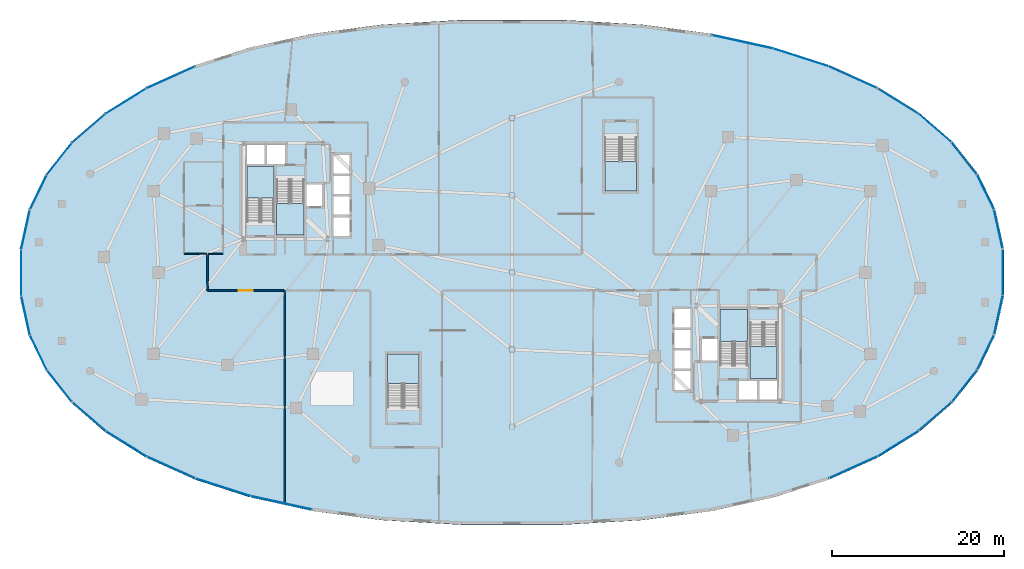
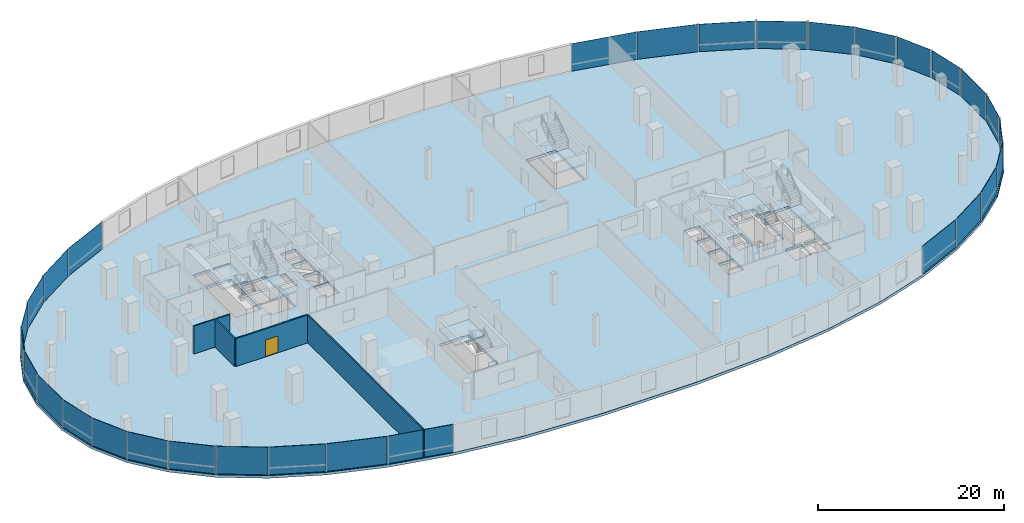
# One storey, part 11 of 18: 30 plates, 7 slabs, 5 walls, 1 door, 1 opening, 13 elements without a shape of their own.
"""IFC4 building model written with IfcOpenShell, lengths in metres."""

from ifc_helpers import new_model, si_unit, direction, frame, frame_2d, origin, origin_2d, place, context, subcontext, project, spatial, polyline, rectangle, outline, extrude, material, layer, layer_set, type_object, element, fill, aggregate, save


model = new_model("IFC4")

# Units and contexts
model_context = context("Model", 3, precision=1e-05, world=origin(), true_north=direction((0.0, 1.0)))
body_context = subcontext(model_context, "Body", "Model", "MODEL_VIEW")
ifc_project = project(units=[si_unit("LENGTHUNIT", "METRE"), si_unit("AREAUNIT", "SQUARE_METRE"), si_unit("VOLUMEUNIT", "CUBIC_METRE"), si_unit("PLANEANGLEUNIT", "RADIAN"), si_unit("MASSUNIT", "GRAM", prefix="KILO"), si_unit("THERMODYNAMICTEMPERATUREUNIT", "KELVIN"), si_unit("POWERUNIT", "WATT")], contexts=[model_context])

# Site, building, storey
site_placement = place(None, origin())
site = spatial("IfcSite", under=ifc_project, at=site_placement, CompositionType="ELEMENT")
building_placement = place(site_placement, origin())
building = spatial("IfcBuilding", under=site, at=building_placement, Name="Cundina Bronze Exchange", CompositionType="ELEMENT")
storey_placement = place(building_placement, frame((0.0, 0.0, 12.0)))
storey = spatial("IfcBuildingStorey", under=building, at=storey_placement, Name="L02", CompositionType="ELEMENT", Elevation=12.0)

# Curtain wall, plates
ifc_material_1 = material(Name="Anodised Bronze Aluminium 6063-T6", Category="aluminium")
curtain_wall_type = type_object("IfcCurtainWallType", Name="CWS-POD-CONC", PredefinedType="NOTDEFINED", material=ifc_material_1)
curtain_wall_1_placement = place(storey_placement, origin())
curtain_wall_1 = element("IfcCurtainWall", 1, at=curtain_wall_1_placement, inside=storey, type_object=curtain_wall_type, Name="L02 CW-01 Curtain Wall Run CWR-L02-01", PredefinedType="NOTDEFINED")
ifc_material_2 = material(Name="Heat-Strengthened Solar-Control Bronze Safety Glass 28mm", Category="glass")
ifc_layer_1 = layer(ifc_material_2, 0.033935546875, Name="Heat-Strengthened Solar-Control Bronze Safety Glass 28mm", Category="glass")
ifc_layer_set_1 = layer_set([ifc_layer_1], Name="Heat-Strengthened Solar-Control Bronze Safety Glass 28mm")
plate_type_1 = type_object("IfcPlateType", Name="PLT-GLZ-POD34", PredefinedType="CURTAIN_PANEL", material=ifc_layer_set_1)
plate_1_placement = place(storey_placement, frame((56.7294921875, 4.99951171875, 0.02001953125), z_axis=(0.0, 0.0, 1.0), x_axis=(-0.214496674701, 0.976724718916, 0.0)))
plate_1 = element("IfcPlate", 2, at=plate_1_placement, type_object=plate_type_1, Name="CW-01 Glazed Panel 1", PredefinedType="CURTAIN_PANEL", context=body_context, shape_type="SweptSolid", body=[
    extrude(rectangle(XDim=4.60009765625, YDim=0.033935546875, at=origin_2d()), origin(), (0.0, 0.0, 1.0), 3.610107421875),
])
plate_2_placement = place(storey_placement, frame((55.237548828125, 9.3232421875, 0.02001953125), z_axis=(0.0, 0.0, 1.0), x_axis=(-0.435765282624, 0.900060341566, 0.0)))
plate_2 = element("IfcPlate", 3, at=plate_2_placement, type_object=plate_type_1, Name="CW-01 Glazed Panel 2", PredefinedType="CURTAIN_PANEL", context=body_context, shape_type="SweptSolid", body=[
    extrude(rectangle(XDim=4.499755859375, YDim=0.033935546875, at=origin_2d()), origin(), (0.0, 0.0, 1.0), 3.610107421875),
])
plate_3_placement = place(storey_placement, frame((52.768798828125, 13.24462890625, 0.02001953125), z_axis=(0.0, 0.0, 1.0), x_axis=(-0.619463952441, 0.785025102545, 0.0)))
plate_3 = element("IfcPlate", 4, at=plate_3_placement, type_object=plate_type_1, Name="CW-01 Glazed Panel 3", PredefinedType="CURTAIN_PANEL", context=body_context, shape_type="SweptSolid", body=[
    extrude(rectangle(XDim=4.7060546875, YDim=0.033935546875, at=origin_2d()), origin(), (0.0, 0.0, 1.0), 3.610107421875),
])
plate_4_placement = place(storey_placement, frame((49.346923828125, 16.802490234375, 0.02001953125), z_axis=(0.0, 0.0, 1.0), x_axis=(-0.755556279398, 0.655083741717, 0.0)))
plate_4 = element("IfcPlate", 5, at=plate_4_placement, type_object=plate_type_1, Name="CW-01 Glazed Panel 4", PredefinedType="CURTAIN_PANEL", context=body_context, shape_type="SweptSolid", body=[
    extrude(rectangle(XDim=5.0849609375, YDim=0.033935546875, at=origin_2d()), origin(), (0.0, 0.0, 1.0), 3.610107421875),
])

curtain_wall_2_placement = place(storey_placement, origin())
curtain_wall_2 = element("IfcCurtainWall", 6, at=curtain_wall_2_placement, inside=storey, type_object=curtain_wall_type, Name="L02 CW-01 Curtain Wall Run CWR-L02-02", PredefinedType="NOTDEFINED")
plate_5_placement = place(storey_placement, frame((39.789794921875, 22.73876953125, 0.02001953125), z_axis=(0.0, 0.0, 1.0), x_axis=(-0.911647313688, 0.41097344859, 0.0)))
plate_5 = element("IfcPlate", 7, at=plate_5_placement, type_object=plate_type_1, Name="CW-01 Glazed Panel 1", PredefinedType="CURTAIN_PANEL", context=body_context, shape_type="SweptSolid", body=[
    extrude(rectangle(XDim=6.11962890625, YDim=0.033935546875, at=origin_2d()), origin(), (0.0, 0.0, 1.0), 3.610107421875),
])
plate_6_placement = place(storey_placement, frame((33.738037109375, 25.051513671875, 0.02001953125), z_axis=(0.0, 0.0, 1.0), x_axis=(-0.951840858876, 0.306592529873, 0.0)))
plate_6 = element("IfcPlate", 8, at=plate_6_placement, type_object=plate_type_1, Name="CW-01 Glazed Panel 2", PredefinedType="CURTAIN_PANEL", context=body_context, shape_type="SweptSolid", body=[
    extrude(rectangle(XDim=6.71044921875, YDim=0.033935546875, at=origin_2d()), origin(), (0.0, 0.0, 1.0), 3.610107421875),
])
plate_7_placement = place(storey_placement, frame((26.882568359375, 26.884765625, 0.02001953125), z_axis=(0.0, 0.0, 1.0), x_axis=(-0.9769078017, 0.213661290314, 0.0)))
plate_7 = element("IfcPlate", 9, at=plate_7_placement, type_object=plate_type_1, Name="CW-01 Glazed Panel 3", PredefinedType="CURTAIN_PANEL", context=body_context, shape_type="SweptSolid", body=[
    extrude(rectangle(XDim=7.3466796875, YDim=0.033935546875, at=origin_2d()), origin(), (0.0, 0.0, 1.0), 3.610107421875),
])
aggregate(curtain_wall_2, [plate_5, plate_6, plate_7])

curtain_wall_3_placement = place(storey_placement, origin())
curtain_wall_3 = element("IfcCurtainWall", 10, at=curtain_wall_3_placement, inside=storey, type_object=curtain_wall_type, Name="L02 CW-01 Curtain Wall Run CWR-L02-03", PredefinedType="NOTDEFINED")
plate_8_placement = place(storey_placement, frame((-39.789794921875, 22.73876953125, 0.02001953125), z_axis=(0.0, 0.0, 1.0), x_axis=(-0.911647313688, -0.41097344859, 0.0)))
plate_8 = element("IfcPlate", 11, at=plate_8_placement, type_object=plate_type_1, Name="CW-01 Glazed Panel 1", PredefinedType="CURTAIN_PANEL", context=body_context, shape_type="SweptSolid", body=[
    extrude(rectangle(XDim=6.11962890625, YDim=0.033935546875, at=origin_2d()), origin(), (0.0, 0.0, 1.0), 3.610107421875),
])
plate_9_placement = place(storey_placement, frame((-45.007080078125, 19.977783203125, 0.02001953125), z_axis=(0.0, 0.0, 1.0), x_axis=(-0.849294333819, -0.527919628867, 0.0)))
plate_9 = element("IfcPlate", 12, at=plate_9_placement, type_object=plate_type_1, Name="CW-01 Glazed Panel 2", PredefinedType="CURTAIN_PANEL", context=body_context, shape_type="SweptSolid", body=[
    extrude(rectangle(XDim=5.570068359375, YDim=0.033935546875, at=origin_2d()), origin(), (0.0, 0.0, 1.0), 3.610107421875),
])
plate_10_placement = place(storey_placement, frame((-52.768798828125, 13.24462890625, 0.02001953125), z_axis=(0.0, 0.0, 1.0), x_axis=(-0.619463952441, -0.785025102545, 0.0)))
plate_10 = element("IfcPlate", 13, at=plate_10_placement, type_object=plate_type_1, Name="CW-01 Glazed Panel 4", PredefinedType="CURTAIN_PANEL", context=body_context, shape_type="SweptSolid", body=[
    extrude(rectangle(XDim=4.7060546875, YDim=0.033935546875, at=origin_2d()), origin(), (0.0, 0.0, 1.0), 3.610107421875),
])
plate_11_placement = place(storey_placement, frame((-55.237548828125, 9.3232421875, 0.02001953125), z_axis=(0.0, 0.0, 1.0), x_axis=(-0.435765282624, -0.900060341566, 0.0)))
plate_11 = element("IfcPlate", 14, at=plate_11_placement, type_object=plate_type_1, Name="CW-01 Glazed Panel 5", PredefinedType="CURTAIN_PANEL", context=body_context, shape_type="SweptSolid", body=[
    extrude(rectangle(XDim=4.499755859375, YDim=0.033935546875, at=origin_2d()), origin(), (0.0, 0.0, 1.0), 3.610107421875),
])

curtain_wall_4_placement = place(storey_placement, origin())
curtain_wall_4 = element("IfcCurtainWall", 15, at=curtain_wall_4_placement, inside=storey, type_object=curtain_wall_type, Name="L02 CW-01 Curtain Wall Run CWR-L02-04", PredefinedType="NOTDEFINED")
plate_12_placement = place(storey_placement, frame((-56.7294921875, 4.99951171875, 0.02001953125), z_axis=(0.0, 0.0, 1.0), x_axis=(-0.214496674701, -0.976724718916, 0.0)))
plate_12 = element("IfcPlate", 16, at=plate_12_placement, type_object=plate_type_1, Name="CW-01 Glazed Panel 1", PredefinedType="CURTAIN_PANEL", context=body_context, shape_type="SweptSolid", body=[
    extrude(rectangle(XDim=4.60009765625, YDim=0.033935546875, at=origin_2d()), origin(), (0.0, 0.0, 1.0), 3.610107421875),
])
plate_13_placement = place(storey_placement, frame((-56.7294921875, -4.99951171875, 0.02001953125), z_axis=(0.0, 0.0, 1.0), x_axis=(0.214496674701, -0.976724718916, 0.0)))
plate_13 = element("IfcPlate", 17, at=plate_13_placement, type_object=plate_type_1, Name="CW-01 Glazed Panel 3", PredefinedType="CURTAIN_PANEL", context=body_context, shape_type="SweptSolid", body=[
    extrude(rectangle(XDim=4.60009765625, YDim=0.033935546875, at=origin_2d()), origin(), (0.0, 0.0, 1.0), 3.610107421875),
])
plate_14_placement = place(storey_placement, frame((-55.237548828125, -9.3232421875, 0.02001953125), z_axis=(0.0, 0.0, 1.0), x_axis=(0.435765282624, -0.900060341566, 0.0)))
plate_14 = element("IfcPlate", 18, at=plate_14_placement, type_object=plate_type_1, Name="CW-01 Glazed Panel 4", PredefinedType="CURTAIN_PANEL", context=body_context, shape_type="SweptSolid", body=[
    extrude(rectangle(XDim=4.499755859375, YDim=0.033935546875, at=origin_2d()), origin(), (0.0, 0.0, 1.0), 3.610107421875),
])
plate_15_placement = place(storey_placement, frame((-52.768798828125, -13.24462890625, 0.02001953125), z_axis=(0.0, 0.0, 1.0), x_axis=(0.619463952441, -0.785025102545, 0.0)))
plate_15 = element("IfcPlate", 19, at=plate_15_placement, type_object=plate_type_1, Name="CW-01 Glazed Panel 5", PredefinedType="CURTAIN_PANEL", context=body_context, shape_type="SweptSolid", body=[
    extrude(rectangle(XDim=4.7060546875, YDim=0.033935546875, at=origin_2d()), origin(), (0.0, 0.0, 1.0), 3.610107421875),
])

curtain_wall_5_placement = place(storey_placement, origin())
curtain_wall_5 = element("IfcCurtainWall", 20, at=curtain_wall_5_placement, inside=storey, type_object=curtain_wall_type, Name="L02 CW-01 Curtain Wall Run CWR-L02-05", PredefinedType="NOTDEFINED")
plate_16_placement = place(storey_placement, frame((-45.007080078125, -19.977783203125, 0.02001953125), z_axis=(0.0, 0.0, 1.0), x_axis=(0.849294333819, -0.527919628867, 0.0)))
plate_16 = element("IfcPlate", 21, at=plate_16_placement, type_object=plate_type_1, Name="CW-01 Glazed Panel 2", PredefinedType="CURTAIN_PANEL", context=body_context, shape_type="SweptSolid", body=[
    extrude(rectangle(XDim=5.570068359375, YDim=0.033935546875, at=origin_2d()), origin(), (0.0, 0.0, 1.0), 3.610107421875),
])
plate_17_placement = place(storey_placement, frame((-39.789794921875, -22.73876953125, 0.02001953125), z_axis=(0.0, 0.0, 1.0), x_axis=(0.911647313688, -0.41097344859, 0.0)))
plate_17 = element("IfcPlate", 22, at=plate_17_placement, type_object=plate_type_1, Name="CW-01 Glazed Panel 3", PredefinedType="CURTAIN_PANEL", context=body_context, shape_type="SweptSolid", body=[
    extrude(rectangle(XDim=6.11962890625, YDim=0.033935546875, at=origin_2d()), origin(), (0.0, 0.0, 1.0), 3.610107421875),
])
plate_18_placement = place(storey_placement, frame((-33.738037109375, -25.051513671875, 0.02001953125), z_axis=(0.0, 0.0, 1.0), x_axis=(0.951840858876, -0.306592529873, 0.0)))
plate_18 = element("IfcPlate", 23, at=plate_18_placement, type_object=plate_type_1, Name="CW-01 Glazed Panel 4", PredefinedType="CURTAIN_PANEL", context=body_context, shape_type="SweptSolid", body=[
    extrude(rectangle(XDim=6.71044921875, YDim=0.033935546875, at=origin_2d()), origin(), (0.0, 0.0, 1.0), 3.610107421875),
])
plate_19_placement = place(storey_placement, frame((-26.882568359375, -26.884765625, 0.02001953125), z_axis=(0.0, 0.0, 1.0), x_axis=(0.9769078017, -0.213661290314, 0.0)))
plate_19 = element("IfcPlate", 24, at=plate_19_placement, type_object=plate_type_1, Name="CW-01 Glazed Panel 5", PredefinedType="CURTAIN_PANEL", context=body_context, shape_type="SweptSolid", body=[
    extrude(rectangle(XDim=7.3466796875, YDim=0.033935546875, at=origin_2d()), origin(), (0.0, 0.0, 1.0), 3.610107421875),
])

curtain_wall_6_placement = place(storey_placement, origin())
curtain_wall_6 = element("IfcCurtainWall", 25, at=curtain_wall_6_placement, inside=storey, type_object=curtain_wall_type, Name="L02 CW-01 Curtain Wall Run CWR-L02-06", PredefinedType="NOTDEFINED")
plate_20_placement = place(storey_placement, frame((39.789794921875, -22.73876953125, 0.02001953125), z_axis=(0.0, 0.0, 1.0), x_axis=(0.911647313688, 0.41097344859, 0.0)))
plate_20 = element("IfcPlate", 26, at=plate_20_placement, type_object=plate_type_1, Name="CW-01 Glazed Panel 1", PredefinedType="CURTAIN_PANEL", context=body_context, shape_type="SweptSolid", body=[
    extrude(rectangle(XDim=6.11962890625, YDim=0.033935546875, at=origin_2d()), origin(), (0.0, 0.0, 1.0), 3.610107421875),
])
plate_21_placement = place(storey_placement, frame((45.007080078125, -19.977783203125, 0.02001953125), z_axis=(0.0, 0.0, 1.0), x_axis=(0.849294333819, 0.527919628867, 0.0)))
plate_21 = element("IfcPlate", 27, at=plate_21_placement, type_object=plate_type_1, Name="CW-01 Glazed Panel 2", PredefinedType="CURTAIN_PANEL", context=body_context, shape_type="SweptSolid", body=[
    extrude(rectangle(XDim=5.570068359375, YDim=0.033935546875, at=origin_2d()), origin(), (0.0, 0.0, 1.0), 3.610107421875),
])
plate_22_placement = place(storey_placement, frame((49.346923828125, -16.802490234375, 0.02001953125), z_axis=(0.0, 0.0, 1.0), x_axis=(0.755556279398, 0.655083741717, 0.0)))
plate_22 = element("IfcPlate", 28, at=plate_22_placement, type_object=plate_type_1, Name="CW-01 Glazed Panel 3", PredefinedType="CURTAIN_PANEL", context=body_context, shape_type="SweptSolid", body=[
    extrude(rectangle(XDim=5.0849609375, YDim=0.033935546875, at=origin_2d()), origin(), (0.0, 0.0, 1.0), 3.610107421875),
])
plate_23_placement = place(storey_placement, frame((52.768798828125, -13.24462890625, 0.02001953125), z_axis=(0.0, 0.0, 1.0), x_axis=(0.619463952441, 0.785025102545, 0.0)))
plate_23 = element("IfcPlate", 29, at=plate_23_placement, type_object=plate_type_1, Name="CW-01 Glazed Panel 4", PredefinedType="CURTAIN_PANEL", context=body_context, shape_type="SweptSolid", body=[
    extrude(rectangle(XDim=4.7060546875, YDim=0.033935546875, at=origin_2d()), origin(), (0.0, 0.0, 1.0), 3.610107421875),
])

curtain_wall_7_placement = place(storey_placement, origin())
curtain_wall_7 = element("IfcCurtainWall", 30, at=curtain_wall_7_placement, inside=storey, type_object=curtain_wall_type, Name="L02 CW-01 Curtain Wall Run CWR-L02-07", PredefinedType="NOTDEFINED")
plate_24_placement = place(storey_placement, frame((56.7294921875, -4.99951171875, 0.02001953125), z_axis=(0.0, 0.0, 1.0), x_axis=(0.214496674701, 0.976724718916, 0.0)))
plate_24 = element("IfcPlate", 31, at=plate_24_placement, type_object=plate_type_1, Name="CW-01 Glazed Panel 1", PredefinedType="CURTAIN_PANEL", context=body_context, shape_type="SweptSolid", body=[
    extrude(rectangle(XDim=4.60009765625, YDim=0.033935546875, at=origin_2d()), origin(), (0.0, 0.0, 1.0), 3.610107421875),
])
plate_25_placement = place(storey_placement, frame((57.22900390625, 0.0, 0.02001953125), z_axis=(0.0, 0.0, 1.0), x_axis=(0.0, 1.0, 0.0)))
plate_25 = element("IfcPlate", 32, at=plate_25_placement, type_object=plate_type_1, Name="CW-01 Glazed Panel 2", PredefinedType="CURTAIN_PANEL", context=body_context, shape_type="SweptSolid", body=[
    extrude(rectangle(XDim=5.389892578125, YDim=0.033935546875, at=origin_2d()), origin(), (0.0, 0.0, 1.0), 3.610107421875),
])
aggregate(curtain_wall_7, [plate_24, plate_25])

# Plate
ifc_material_3 = material(Name="Dark Bronze Spandrel Glass Panel 32mm", Category="glass")
ifc_layer_2 = layer(ifc_material_3, 0.031982421875, Name="Dark Bronze Spandrel Glass Panel 32mm", Category="glass")
ifc_layer_set_2 = layer_set([ifc_layer_2], Name="Dark Bronze Spandrel Glass Panel 32mm")
plate_type_2 = type_object("IfcPlateType", Name="PLT-SPN-BRZ32", PredefinedType="CURTAIN_PANEL", material=ifc_layer_set_2)
plate_26_placement = place(storey_placement, frame((45.007080078125, 19.977783203125, 0.02001953125), z_axis=(0.0, 0.0, 1.0), x_axis=(-0.849294333819, 0.527919628867, 0.0)))
plate_26 = element("IfcPlate", 33, at=plate_26_placement, type_object=plate_type_2, Name="CW-01 Glazed Panel 5", PredefinedType="CURTAIN_PANEL", context=body_context, shape_type="SweptSolid", body=[
    extrude(rectangle(XDim=5.570068359375, YDim=0.031982421875, at=origin_2d()), origin(), (0.0, 0.0, 1.0), 3.610107421875),
])

aggregate(curtain_wall_1, [plate_1, plate_2, plate_3, plate_4, plate_26])

plate_27_placement = place(storey_placement, frame((-49.346923828125, 16.802490234375, 0.02001953125), z_axis=(0.0, 0.0, 1.0), x_axis=(-0.755556279398, -0.655083741717, 0.0)))
plate_27 = element("IfcPlate", 34, at=plate_27_placement, type_object=plate_type_2, Name="CW-01 Glazed Panel 3", PredefinedType="CURTAIN_PANEL", context=body_context, shape_type="SweptSolid", body=[
    extrude(rectangle(XDim=5.0849609375, YDim=0.031982421875, at=origin_2d()), origin(), (0.0, 0.0, 1.0), 3.610107421875),
])

aggregate(curtain_wall_3, [plate_8, plate_9, plate_27, plate_10, plate_11])

plate_28_placement = place(storey_placement, frame((-57.22900390625, 0.0, 0.02001953125), z_axis=(0.0, 0.0, 1.0), x_axis=(0.0, -1.0, 0.0)))
plate_28 = element("IfcPlate", 35, at=plate_28_placement, type_object=plate_type_2, Name="CW-01 Glazed Panel 2", PredefinedType="CURTAIN_PANEL", context=body_context, shape_type="SweptSolid", body=[
    extrude(rectangle(XDim=5.389892578125, YDim=0.031982421875, at=origin_2d()), origin(), (0.0, 0.0, 1.0), 3.610107421875),
])

aggregate(curtain_wall_4, [plate_12, plate_28, plate_13, plate_14, plate_15])

plate_29_placement = place(storey_placement, frame((-49.346923828125, -16.802490234375, 0.02001953125), z_axis=(0.0, 0.0, 1.0), x_axis=(0.755556279398, -0.655083741717, 0.0)))
plate_29 = element("IfcPlate", 36, at=plate_29_placement, type_object=plate_type_2, Name="CW-01 Glazed Panel 1", PredefinedType="CURTAIN_PANEL", context=body_context, shape_type="SweptSolid", body=[
    extrude(rectangle(XDim=5.0849609375, YDim=0.031982421875, at=origin_2d()), origin(), (0.0, 0.0, 1.0), 3.610107421875),
])

aggregate(curtain_wall_5, [plate_29, plate_16, plate_17, plate_18, plate_19])

plate_30_placement = place(storey_placement, frame((55.237548828125, -9.3232421875, 0.02001953125), z_axis=(0.0, 0.0, 1.0), x_axis=(0.435765282624, 0.900060341566, 0.0)))
plate_30 = element("IfcPlate", 37, at=plate_30_placement, type_object=plate_type_2, Name="CW-01 Glazed Panel 5", PredefinedType="CURTAIN_PANEL", context=body_context, shape_type="SweptSolid", body=[
    extrude(rectangle(XDim=4.499755859375, YDim=0.031982421875, at=origin_2d()), origin(), (0.0, 0.0, 1.0), 3.610107421875),
])

aggregate(curtain_wall_6, [plate_20, plate_21, plate_22, plate_23, plate_30])

# Stair, slab
ifc_material_4 = material(Name="Concrete C40/50", Category="concrete")
stair_type_1 = type_object("IfcStairType", Name="STR-POD-400", PredefinedType="HALF_TURN_STAIR", material=ifc_material_4)
stair_1_placement = place(storey_placement, origin())
stair_1 = element("IfcStair", 38, at=stair_1_placement, inside=storey, type_object=stair_type_1, Name="L02 Smokeproof Exit Stair W1", PredefinedType="HALF_TURN_STAIR")
ifc_layer_3 = layer(ifc_material_4, 0.199951171875, Name="Concrete C40/50", Category="concrete")
ifc_layer_set_3 = layer_set([ifc_layer_3], Name="Concrete C40/50")
slab_type_1 = type_object("IfcSlabType", Name="SLB-LND-200", PredefinedType="LANDING", material=ifc_layer_set_3)
slab_1_placement = place(storey_placement, frame((0.0, 0.0, 1.800048828125)))
slab_1 = element("IfcSlab", 39, at=slab_1_placement, type_object=slab_type_1, Name="ST-W1 landing 1", PredefinedType="LANDING", context=body_context, shape_type="SweptSolid", body=[
    extrude(outline(polyline([(-27.739990234375, 8.64990234375), (-27.739990234375, 12.35009765625), (-30.89990234375, 12.35009765625), (-30.89990234375, 8.64990234375), (-27.739990234375, 8.64990234375)])), origin(), (0.0, 0.0, 1.0), 0.199951171875),
])
aggregate(stair_1, [slab_1])

stair_2_placement = place(storey_placement, origin())
stair_2 = element("IfcStair", 40, at=stair_2_placement, inside=storey, type_object=stair_type_1, Name="L02 Smokeproof Exit Stair W2", PredefinedType="HALF_TURN_STAIR")
slab_2_placement = place(storey_placement, frame((0.0, 0.0, 1.800048828125)))
slab_2 = element("IfcSlab", 41, at=slab_2_placement, type_object=slab_type_1, Name="ST-W2 landing 1", PredefinedType="LANDING", context=body_context, shape_type="SweptSolid", body=[
    extrude(outline(polyline([(-27.43994140625, 8.050048828125), (-27.43994140625, 4.35009765625), (-24.280029296875, 4.35009765625), (-24.280029296875, 8.050048828125), (-27.43994140625, 8.050048828125)])), origin(), (0.0, 0.0, 1.0), 0.199951171875),
])
aggregate(stair_2, [slab_2])

stair_3_placement = place(storey_placement, origin())
stair_3 = element("IfcStair", 42, at=stair_3_placement, inside=storey, type_object=stair_type_1, Name="L02 Smokeproof Exit Stair E1", PredefinedType="HALF_TURN_STAIR")
slab_3_placement = place(storey_placement, frame((0.0, 0.0, 1.800048828125)))
slab_3 = element("IfcSlab", 43, at=slab_3_placement, type_object=slab_type_1, Name="ST-E1 landing 1", PredefinedType="LANDING", context=body_context, shape_type="SweptSolid", body=[
    extrude(outline(polyline([(27.739990234375, -8.64990234375), (27.739990234375, -12.35009765625), (30.89990234375, -12.35009765625), (30.89990234375, -8.64990234375), (27.739990234375, -8.64990234375)])), origin(), (0.0, 0.0, 1.0), 0.199951171875),
])
aggregate(stair_3, [slab_3])

stair_4_placement = place(storey_placement, origin())
stair_4 = element("IfcStair", 44, at=stair_4_placement, inside=storey, type_object=stair_type_1, Name="L02 Smokeproof Exit Stair E2", PredefinedType="HALF_TURN_STAIR")
slab_4_placement = place(storey_placement, frame((0.0, 0.0, 1.800048828125)))
slab_4 = element("IfcSlab", 45, at=slab_4_placement, type_object=slab_type_1, Name="ST-E2 landing 1", PredefinedType="LANDING", context=body_context, shape_type="SweptSolid", body=[
    extrude(outline(polyline([(27.43994140625, -8.050048828125), (27.43994140625, -4.35009765625), (24.280029296875, -4.35009765625), (24.280029296875, -8.050048828125), (27.43994140625, -8.050048828125)])), origin(), (0.0, 0.0, 1.0), 0.199951171875),
])
aggregate(stair_4, [slab_4])

stair_type_2 = type_object("IfcStairType", Name="STR-CON-600", PredefinedType="STRAIGHT_RUN_STAIR", material=ifc_material_4)
stair_5_placement = place(storey_placement, origin())
stair_5 = element("IfcStair", 46, at=stair_5_placement, inside=storey, type_object=stair_type_2, Name="L02 Concourse Exchange Stair W", PredefinedType="HALF_TURN_STAIR")
slab_5_placement = place(storey_placement, frame((0.0, 0.0, 1.800048828125)))
slab_5 = element("IfcSlab", 47, at=slab_5_placement, type_object=slab_type_1, Name="ST-PW landing 1", PredefinedType="LANDING", context=body_context, shape_type="SweptSolid", body=[
    extrude(outline(polyline([(-10.820068359375, -12.949951171875), (-10.820068359375, -9.5), (-14.52001953125, -9.5), (-14.52001953125, -12.949951171875), (-10.820068359375, -12.949951171875)])), origin(), (0.0, 0.0, 1.0), 0.199951171875),
])
aggregate(stair_5, [slab_5])

stair_6_placement = place(storey_placement, origin())
stair_6 = element("IfcStair", 48, at=stair_6_placement, inside=storey, type_object=stair_type_2, Name="L02 Concourse Exchange Stair E", PredefinedType="HALF_TURN_STAIR")
slab_6_placement = place(storey_placement, frame((0.0, 0.0, 1.800048828125)))
slab_6 = element("IfcSlab", 49, at=slab_6_placement, type_object=slab_type_1, Name="ST-PE landing 1", PredefinedType="LANDING", context=body_context, shape_type="SweptSolid", body=[
    extrude(outline(polyline([(10.820068359375, 12.949951171875), (10.820068359375, 9.5), (14.52001953125, 9.5), (14.52001953125, 12.949951171875), (10.820068359375, 12.949951171875)])), origin(), (0.0, 0.0, 1.0), 0.199951171875),
])
aggregate(stair_6, [slab_6])

# Slab
ifc_material_5 = material(Name="Concrete C50/60", Category="concrete")
ifc_layer_4 = layer(ifc_material_5, 0.35009765625, Name="Concrete C50/60", Category="concrete")
ifc_layer_set_4 = layer_set([ifc_layer_4], Name="Concrete C50/60")
slab_type_2 = type_object("IfcSlabType", Name="SLB-POD-350", PredefinedType="FLOOR", material=ifc_layer_set_4)
slab_7_placement = place(storey_placement, frame((0.0, 0.0, -0.35009765625)))
element("IfcSlab", 50, at=slab_7_placement, inside=storey, type_object=slab_type_2, Name="L02 Podium Structural Floor Slab", PredefinedType="FLOOR", context=body_context, shape_type="SweptSolid", body=[
    extrude(outline(polyline([(57.3740234375, 2.739990234375), (56.367919921875, 7.321044921875), (54.367919921875, 11.451904296875), (51.39697265625, 15.217041015625), (47.487060546875, 18.60693359375), (42.679931640625, 21.594970703125), (37.01904296875, 24.14697265625), (30.5458984375, 26.23193359375), (23.281005859375, 27.821044921875), (15.180908203125, 28.89306640625), (5.93603515625, 29.431884765625), (-5.93603515625, 29.431884765625), (-15.180908203125, 28.89306640625), (-23.281005859375, 27.821044921875), (-30.5458984375, 26.23193359375), (-37.01904296875, 24.14697265625), (-42.679931640625, 21.594970703125), (-47.487060546875, 18.60693359375), (-51.39697265625, 15.217041015625), (-54.367919921875, 11.451904296875), (-56.367919921875, 7.321044921875), (-57.3740234375, 2.739990234375), (-57.3740234375, -2.739990234375), (-56.367919921875, -7.321044921875), (-54.367919921875, -11.451904296875), (-51.39697265625, -15.217041015625), (-47.487060546875, -18.60693359375), (-42.679931640625, -21.594970703125), (-37.01904296875, -24.14697265625), (-30.5458984375, -26.23193359375), (-23.281005859375, -27.821044921875), (-15.180908203125, -28.89306640625), (-5.93603515625, -29.431884765625), (5.93603515625, -29.431884765625), (15.180908203125, -28.89306640625), (23.281005859375, -27.821044921875), (30.5458984375, -26.23193359375), (37.01904296875, -24.14697265625), (42.679931640625, -21.594970703125), (47.487060546875, -18.60693359375), (51.39697265625, -15.217041015625), (54.367919921875, -11.451904296875), (56.367919921875, -7.321044921875), (57.3740234375, -2.739990234375), (57.3740234375, 2.739990234375)]), holes=[polyline([(-27.739990234375, 5.85009765625), (-27.739990234375, 12.35009765625), (-30.89990234375, 12.35009765625), (-30.89990234375, 5.85009765625), (-27.739990234375, 5.85009765625)]), polyline([(-27.43994140625, 10.85009765625), (-27.43994140625, 4.35009765625), (-24.280029296875, 4.35009765625), (-24.280029296875, 10.85009765625), (-27.43994140625, 10.85009765625)]), polyline([(27.739990234375, -5.85009765625), (27.739990234375, -12.35009765625), (30.89990234375, -12.35009765625), (30.89990234375, -5.85009765625), (27.739990234375, -5.85009765625)]), polyline([(27.43994140625, -10.85009765625), (27.43994140625, -4.35009765625), (24.280029296875, -4.35009765625), (24.280029296875, -10.85009765625), (27.43994140625, -10.85009765625)]), polyline([(-10.820068359375, -15.75), (-10.820068359375, -9.5), (-14.52001953125, -9.5), (-14.52001953125, -15.75), (-10.820068359375, -15.75)]), polyline([(10.820068359375, 15.75), (10.820068359375, 9.5), (14.52001953125, 9.5), (14.52001953125, 15.75), (10.820068359375, 15.75)]), polyline([(-23.97998046875, 10.25), (-22.179931640625, 10.25), (-22.179931640625, 7.75), (-23.97998046875, 7.75), (-23.97998046875, 10.25)]), polyline([(-30.89990234375, 14.949951171875), (-28.85009765625, 14.949951171875), (-28.85009765625, 12.64990234375), (-30.89990234375, 12.64990234375), (-30.89990234375, 14.949951171875)]), polyline([(-28.550048828125, 14.949951171875), (-26.5, 14.949951171875), (-26.5, 12.64990234375), (-28.550048828125, 12.64990234375), (-28.550048828125, 14.949951171875)]), polyline([(-20.800048828125, 13.699951171875), (-18.949951171875, 13.699951171875), (-18.949951171875, 11.449951171875), (-20.800048828125, 11.449951171875), (-20.800048828125, 13.699951171875)]), polyline([(-20.800048828125, 11.300048828125), (-18.949951171875, 11.300048828125), (-18.949951171875, 9.050048828125), (-20.800048828125, 9.050048828125), (-20.800048828125, 11.300048828125)]), polyline([(-20.800048828125, 8.89990234375), (-18.949951171875, 8.89990234375), (-18.949951171875, 6.64990234375), (-20.800048828125, 6.64990234375), (-20.800048828125, 8.89990234375)]), polyline([(-20.800048828125, 6.5), (-18.949951171875, 6.5), (-18.949951171875, 4.25), (-20.800048828125, 4.25), (-20.800048828125, 6.5)]), polyline([(22.179931640625, -7.75), (23.97998046875, -7.75), (23.97998046875, -10.25), (22.179931640625, -10.25), (22.179931640625, -7.75)]), polyline([(28.85009765625, -12.64990234375), (30.89990234375, -12.64990234375), (30.89990234375, -14.949951171875), (28.85009765625, -14.949951171875), (28.85009765625, -12.64990234375)]), polyline([(26.5, -12.64990234375), (28.550048828125, -12.64990234375), (28.550048828125, -14.949951171875), (26.5, -14.949951171875), (26.5, -12.64990234375)]), polyline([(18.949951171875, -11.449951171875), (20.800048828125, -11.449951171875), (20.800048828125, -13.699951171875), (18.949951171875, -13.699951171875), (18.949951171875, -11.449951171875)]), polyline([(18.949951171875, -9.050048828125), (20.800048828125, -9.050048828125), (20.800048828125, -11.300048828125), (18.949951171875, -11.300048828125), (18.949951171875, -9.050048828125)]), polyline([(18.949951171875, -6.64990234375), (20.800048828125, -6.64990234375), (20.800048828125, -8.89990234375), (18.949951171875, -8.89990234375), (18.949951171875, -6.64990234375)]), polyline([(18.949951171875, -4.25), (20.800048828125, -4.25), (20.800048828125, -6.5), (18.949951171875, -6.5), (18.949951171875, -4.25)])]), origin(), (0.0, 0.0, 1.0), 0.35009765625),
])

# Wall, opening, door
ifc_material_6 = material(Name="Gypsum Fireboard Partition EI120")
ifc_layer_5 = layer(ifc_material_6, 0.179931640625, Name="Gypsum Fireboard Partition EI120")
ifc_layer_set_5 = layer_set([ifc_layer_5], Name="Gypsum Fireboard Partition EI120")
wall_type_1 = type_object("IfcWallType", Name="WL-COR-180", PredefinedType="PARTITIONING", material=ifc_layer_set_5)
wall_1_placement = place(storey_placement, frame((-35.478515625, -2.10009765625, 0.0), z_axis=(0.0, 0.0, 1.0), x_axis=(1.0, 0.0, 0.0)))
wall_1 = element("IfcWall", 51, at=wall_1_placement, inside=storey, type_object=wall_type_1, Name="L02 Interior Partition 039", PredefinedType="PARTITIONING", context=body_context, shape_type="SweptSolid", body=[
    extrude(rectangle(XDim=8.883544921875, YDim=0.179931640625, at=frame_2d((4.44189453125, 0.0))), origin(), (0.0, 0.0, 1.0), 3.64990234375),
])
opening_placement = place(wall_1_placement, frame((3.6416015625, 0.0, 0.0)))
opening = element("IfcOpeningElement", 52, at=opening_placement, cuts=wall_1, Name="Opening DO-02", PredefinedType="OPENING", context=body_context, shape_type="SweptSolid", body=[
    extrude(rectangle(XDim=1.60009765625, YDim=2.199951171875, at=frame_2d((0.800048828125, 1.10009765625))), frame((0.0, 0.099853515625, 0.0), z_axis=(0.0, -1.0, 0.0), x_axis=(1.0, 0.0, 0.0)), (0.0, 0.0, 1.0), 0.199951171875),
])
ifc_material_7 = material(Name="Solid Andean Oak Timber Grade A", Category="wood")
door_type = type_object("IfcDoorType", Name="DR-TRD-1600", OperationType="NOTDEFINED", PredefinedType="DOOR", material=ifc_material_7)
door_placement = place(opening_placement, origin())
door = element("IfcDoor", 53, at=door_placement, inside=storey, type_object=door_type, Name="L02 Interior Door 039", OperationType="SINGLE_SWING_RIGHT", OverallHeight=2.199951171875, OverallWidth=1.60009765625, PredefinedType="DOOR", context=body_context, shape_type="SweptSolid", body=[
    extrude(rectangle(XDim=1.60009765625, YDim=2.199951171875, at=frame_2d((0.800048828125, 1.10009765625))), frame((0.0, 0.02490234375, 0.0), z_axis=(0.0, -1.0, 0.0), x_axis=(1.0, 0.0, 0.0)), (0.0, 0.0, 1.0), 0.050048828125),
])
fill(opening, door)

# Walls
wall_2_placement = place(storey_placement, frame((-35.52001953125, 2.05859375, 0.0), z_axis=(0.0, 0.0, 1.0), x_axis=(0.0, -1.0, 0.0)))
element("IfcWall", 54, at=wall_2_placement, inside=storey, type_object=wall_type_1, Name="L02 Interior Partition 042", PredefinedType="PARTITIONING", context=body_context, shape_type="SweptSolid", body=[
    extrude(rectangle(XDim=4.1171875, YDim=0.179931640625, at=frame_2d((2.05859375, 0.0))), origin(), (0.0, 0.0, 1.0), 3.64990234375),
])
ifc_material_8 = material(Name="Gypsum Acoustic Partition EI60")
ifc_layer_6 = layer(ifc_material_8, 0.14990234375, Name="Gypsum Acoustic Partition EI60")
ifc_layer_set_6 = layer_set([ifc_layer_6], Name="Gypsum Acoustic Partition EI60")
wall_type_2 = type_object("IfcWallType", Name="WL-TEN-150", PredefinedType="PARTITIONING", material=ifc_layer_set_6)
wall_3_placement = place(storey_placement, frame((-26.5, -27.0048828125, 0.0), z_axis=(0.0, 0.0, 1.0), x_axis=(0.0, 1.0, 0.0)))
element("IfcWall", 55, at=wall_3_placement, inside=storey, type_object=wall_type_2, Name="L02 Interior Partition 021", PredefinedType="PARTITIONING", context=body_context, shape_type="SweptSolid", body=[
    extrude(rectangle(XDim=24.875, YDim=0.14990234375, at=frame_2d((12.4375, 0.0))), origin(), (0.0, 0.0, 1.0), 3.64990234375),
])
ifc_material_9 = material(Name="Moisture-Resistant Masonry Block Grade M15", Category="masonry")
ifc_layer_7 = layer(ifc_material_9, 0.139892578125, Name="Moisture-Resistant Masonry Block Grade M15", Category="masonry")
ifc_layer_set_7 = layer_set([ifc_layer_7], Name="Moisture-Resistant Masonry Block Grade M15")
wall_type_3 = type_object("IfcWallType", Name="WL-WET-140", PredefinedType="PARTITIONING", material=ifc_layer_set_7)
wall_4_placement = place(storey_placement, frame((-38.219970703125, 2.159912109375, 0.0), z_axis=(0.0, 0.0, 1.0), x_axis=(1.0, 0.0, 0.0)))
element("IfcWall", 56, at=wall_4_placement, inside=storey, type_object=wall_type_3, Name="L02 Interior Partition 015", PredefinedType="PARTITIONING", context=body_context, shape_type="SweptSolid", body=[
    extrude(rectangle(XDim=2.614990234375, YDim=0.139892578125, at=frame_2d((1.3076171875, 0.0))), origin(), (0.0, 0.0, 1.0), 3.64990234375),
])
wall_5_placement = place(storey_placement, frame((-35.43505859375, 2.159912109375, 0.0), z_axis=(0.0, 0.0, 1.0), x_axis=(1.0, 0.0, 0.0)))
element("IfcWall", 57, at=wall_5_placement, inside=storey, type_object=wall_type_3, Name="L02 Interior Partition 016", PredefinedType="PARTITIONING", context=body_context, shape_type="SweptSolid", body=[
    extrude(rectangle(XDim=1.695068359375, YDim=0.139892578125, at=frame_2d((0.84765625, 0.0))), origin(), (0.0, 0.0, 1.0), 3.64990234375),
])

save(model, "model.ifc")
